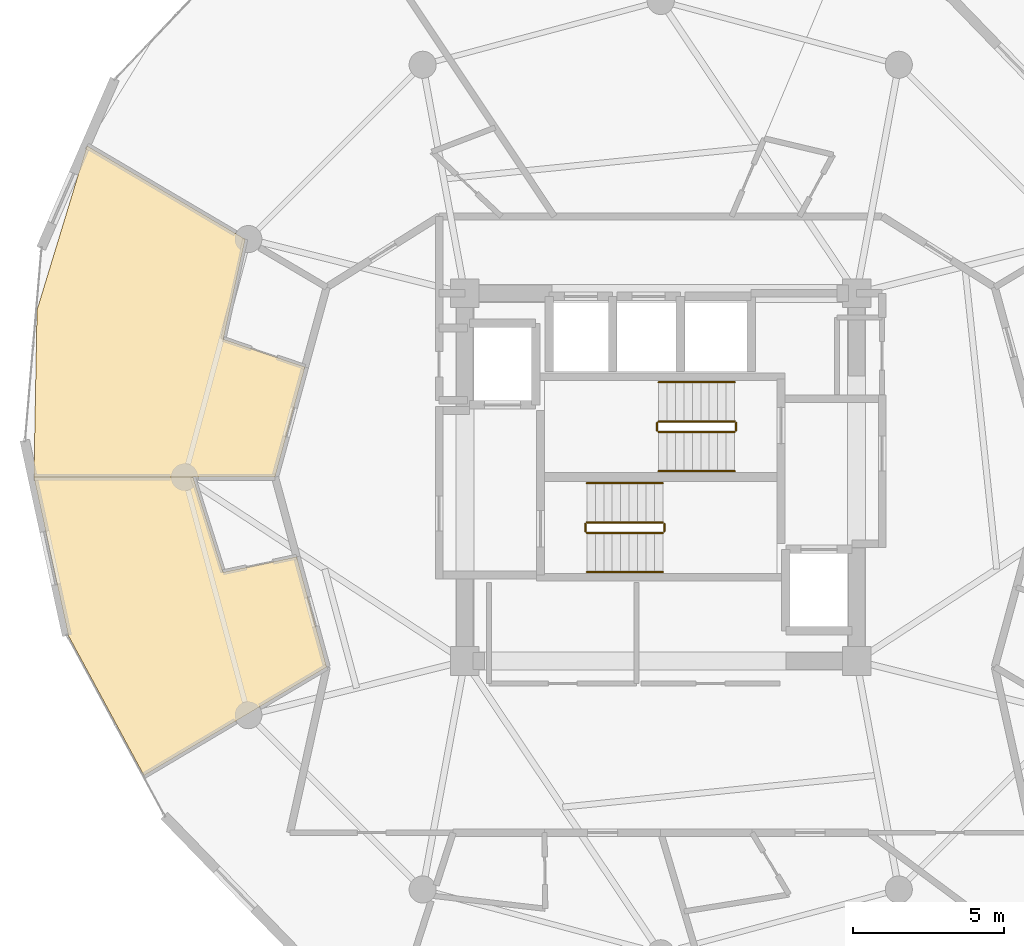
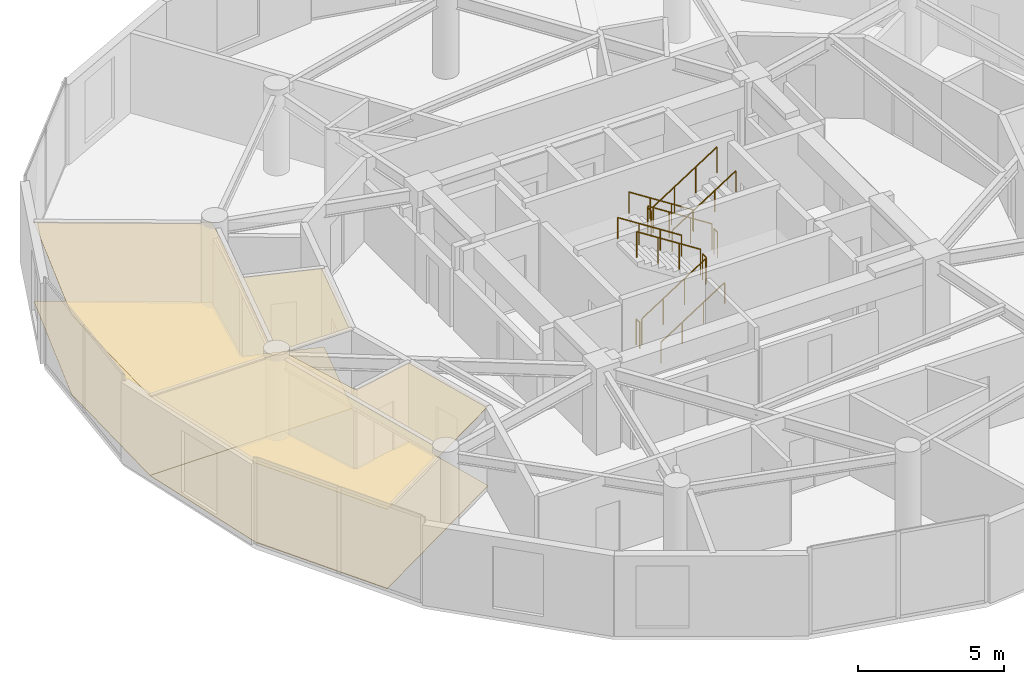
# One storey, part 22 of 23: 12 railings, 4 coverings.
"""IFC4 building model written with IfcOpenShell, lengths in metres."""

from ifc_helpers import new_model, si_unit, direction, frame, origin, origin_2d, place, context, subcontext, project, spatial, polyline, circle, outline, extrude, material, layer, layer_set, type_object, element, save


model = new_model("IFC4")

# Units and contexts
model_context = context("Model", 3, precision=1e-05, world=origin(), true_north=direction((0.0, 1.0)))
body_context = subcontext(model_context, "Body", "Model", "MODEL_VIEW")
ifc_project = project(units=[si_unit("LENGTHUNIT", "METRE"), si_unit("AREAUNIT", "SQUARE_METRE"), si_unit("VOLUMEUNIT", "CUBIC_METRE"), si_unit("PLANEANGLEUNIT", "RADIAN"), si_unit("MASSUNIT", "GRAM", prefix="KILO")], contexts=[model_context])

# Site, building, storey
site_placement = place(None, origin())
site = spatial("IfcSite", under=ifc_project, at=site_placement, CompositionType="ELEMENT")
building_placement = place(site_placement, origin())
building = spatial("IfcBuilding", under=site, at=building_placement, Name="Solvirekh Grand Hotel", CompositionType="ELEMENT")
storey_placement = place(building_placement, frame((0.0, 0.0, 173.199951171875)))
storey = spatial("IfcBuildingStorey", under=building, at=storey_placement, Name="L44", CompositionType="ELEMENT", Elevation=173.199951171875)

# Coverings
ifc_material_1 = material(Name="Acoustic Mineral Ceiling Tile")
ifc_layer_1 = layer(ifc_material_1, 0.02490234375)
ifc_layer_set_1 = layer_set([ifc_layer_1], Name="Acoustic Mineral Ceiling Tile")
covering_type_1 = type_object("IfcCoveringType", Name="Cov_Ceiling_Acoustic", PredefinedType="CEILING", material=ifc_layer_set_1)
covering_1_placement = place(storey_placement, frame((0.0, 0.0, 3.31005859375)))
element("IfcCovering", 1, at=covering_1_placement, inside=storey, type_object=covering_type_1, Name="L44 Deluxe Guestroom 4603 acoustic ceiling", PredefinedType="CEILING", context=body_context, shape_type="SweptSolid", body=[
    extrude(outline(polyline([(-14.514892578125, 4.5791015625), (-13.7890625, 7.89501953125), (-19.037109375, 10.990966796875), (-20.696044921875, 5.544921875), (-20.799072265625, 0.0), (-12.800048828125, 0.0), (-11.804931640625, 3.654052734375), (-14.514892578125, 4.5791015625)])), origin(), (0.0, 0.0, 1.0), 0.01806640625),
])
covering_2_placement = place(storey_placement, frame((0.0, 0.0, 3.31005859375)))
element("IfcCovering", 2, at=covering_2_placement, inside=storey, type_object=covering_type_1, Name="L44 Deluxe Guestroom 4604 acoustic ceiling", PredefinedType="CEILING", context=body_context, shape_type="SweptSolid", body=[
    extrude(outline(polyline([(-14.52294921875, -3.159912109375), (-15.52001953125, 0.0), (-20.799072265625, 0.0), (-19.652099609375, -5.26611328125), (-17.14794921875, -9.89990234375), (-11.0849609375, -6.300048828125), (-12.080078125, -2.64599609375), (-14.52294921875, -3.159912109375)])), origin(), (0.0, 0.0, 1.0), 0.01806640625),
])
ifc_material_2 = material(Name="Porcelain Stoneware Flooring", Category="masonry")
ifc_layer_2 = layer(ifc_material_2, 0.030029296875)
ifc_layer_set_2 = layer_set([ifc_layer_2], Name="Porcelain Stoneware Flooring")
covering_type_2 = type_object("IfcCoveringType", Name="Cov_Floor_Stone", PredefinedType="FLOORING", material=ifc_layer_set_2)
covering_3_placement = place(storey_placement, origin())
element("IfcCovering", 3, at=covering_3_placement, inside=storey, type_object=covering_type_2, Name="L44 Deluxe Guestroom 4603 polished granite flooring", PredefinedType="FLOORING", context=body_context, shape_type="SweptSolid", body=[
    extrude(outline(polyline([(-14.514892578125, 4.5791015625), (-13.7890625, 7.89501953125), (-19.037109375, 10.990966796875), (-20.696044921875, 5.544921875), (-20.799072265625, 0.0), (-12.800048828125, 0.0), (-11.804931640625, 3.654052734375), (-14.514892578125, 4.5791015625)])), origin(), (0.0, 0.0, 1.0), 0.02001953125),
])
covering_4_placement = place(storey_placement, origin())
element("IfcCovering", 4, at=covering_4_placement, inside=storey, type_object=covering_type_2, Name="L44 Deluxe Guestroom 4604 polished granite flooring", PredefinedType="FLOORING", context=body_context, shape_type="SweptSolid", body=[
    extrude(outline(polyline([(-14.52294921875, -3.159912109375), (-15.52001953125, 0.0), (-20.799072265625, 0.0), (-19.652099609375, -5.26611328125), (-17.14794921875, -9.89990234375), (-11.0849609375, -6.300048828125), (-12.080078125, -2.64599609375), (-14.52294921875, -3.159912109375)])), origin(), (0.0, 0.0, 1.0), 0.02001953125),
])

# Railings
ifc_material_3 = material(Name="Steel S355", Category="steel")
railing_type_1 = type_object("IfcRailingType", Name="Guard_Stair_1100", PredefinedType="GUARDRAIL", material=ifc_material_3)
railing_1_placement = place(storey_placement, frame((-2.449951171875, -1.85009765625, 0.179931640625)))
element("IfcRailing", 5, at=railing_1_placement, inside=storey, type_object=railing_type_1, Name="L44 ST-1 stair guard 1", PredefinedType="GUARDRAIL", context=body_context, shape_type="SweptSolid", body=[
    extrude(circle(Radius=0.02392578125, at=origin_2d()), frame((0.0, 0.0, 1.076171875), z_axis=(0.841162588446, 0.0, 0.540782303519), x_axis=(0.0, 1.0, 0.0)), (0.0, 0.0, 1.0), 2.995849609375),
    extrude(circle(Radius=0.02099609375, at=origin_2d()), origin(), (0.0, 0.0, 1.0), 1.052001953125),
    extrude(circle(Radius=0.02099609375, at=origin_2d()), frame((0.840087890625, 0.0, 0.5400390625)), (0.0, 0.0, 1.0), 1.052001953125),
    extrude(circle(Radius=0.02099609375, at=origin_2d()), frame((1.679931640625, 0.0, 1.080078125)), (0.0, 0.0, 1.0), 1.052001953125),
    extrude(circle(Radius=0.02099609375, at=origin_2d()), frame((2.52001953125, 0.0, 1.6201171875)), (0.0, 0.0, 1.0), 1.052001953125),
])
railing_2_placement = place(storey_placement, frame((0.1201171875, -1.800048828125, 1.800048828125)))
element("IfcRailing", 6, at=railing_2_placement, inside=storey, type_object=railing_type_1, Name="L44 ST-1 stair guard 2", PredefinedType="GUARDRAIL", context=body_context, shape_type="SweptSolid", body=[
    extrude(circle(Radius=0.02392578125, at=origin_2d()), frame((0.0, 0.0, 1.076171875), z_axis=(0.0, 1.0, 0.0), x_axis=(-1.0, 0.0, 0.0)), (0.0, 0.0, 1.0), 0.25),
    extrude(circle(Radius=0.02099609375, at=origin_2d()), origin(), (0.0, 0.0, 1.0), 1.052001953125),
    extrude(circle(Radius=0.02099609375, at=origin_2d()), frame((0.0, 0.25, 0.0)), (0.0, 0.0, 1.0), 1.052001953125),
])
railing_3_placement = place(storey_placement, frame((0.070068359375, -1.5, 1.97998046875)))
element("IfcRailing", 7, at=railing_3_placement, inside=storey, type_object=railing_type_1, Name="L44 ST-1 stair guard 3", PredefinedType="GUARDRAIL", context=body_context, shape_type="SweptSolid", body=[
    extrude(circle(Radius=0.02392578125, at=origin_2d()), frame((0.0, 0.0, 1.076171875), z_axis=(-0.841162588446, 0.0, 0.540782303519), x_axis=(0.0, -1.0, 0.0)), (0.0, 0.0, 1.0), 2.995849609375),
    extrude(circle(Radius=0.02099609375, at=origin_2d()), origin(), (0.0, 0.0, 1.0), 1.052001953125),
    extrude(circle(Radius=0.02099609375, at=origin_2d()), frame((-0.840087890625, 0.0, 0.5400390625)), (0.0, 0.0, 1.0), 1.052001953125),
    extrude(circle(Radius=0.02099609375, at=origin_2d()), frame((-1.679931640625, 0.0, 1.080078125)), (0.0, 0.0, 1.0), 1.052001953125),
    extrude(circle(Radius=0.02099609375, at=origin_2d()), frame((-2.52001953125, 0.0, 1.6201171875)), (0.0, 0.0, 1.0), 1.052001953125),
])
railing_4_placement = place(storey_placement, frame((-2.5, -1.800048828125, 0.0)))
element("IfcRailing", 8, at=railing_4_placement, inside=storey, type_object=railing_type_1, Name="L44 ST-1 stair guard 4", PredefinedType="GUARDRAIL", context=body_context, shape_type="SweptSolid", body=[
    extrude(circle(Radius=0.02392578125, at=origin_2d()), frame((0.0, 0.0, 1.076171875), z_axis=(0.0, 1.0, 0.0), x_axis=(-1.0, 0.0, 0.0)), (0.0, 0.0, 1.0), 0.25),
    extrude(circle(Radius=0.02099609375, at=origin_2d()), origin(), (0.0, 0.0, 1.0), 1.052001953125),
    extrude(circle(Radius=0.02099609375, at=origin_2d()), frame((0.0, 0.25, 0.0)), (0.0, 0.0, 1.0), 1.052001953125),
])
railing_5_placement = place(storey_placement, frame((2.449951171875, 1.85009765625, 0.179931640625)))
element("IfcRailing", 9, at=railing_5_placement, inside=storey, type_object=railing_type_1, Name="L44 ST-2 stair guard 1", PredefinedType="GUARDRAIL", context=body_context, shape_type="SweptSolid", body=[
    extrude(circle(Radius=0.02392578125, at=origin_2d()), frame((0.0, 0.0, 1.076171875), z_axis=(-0.841162588446, 0.0, 0.540782303519), x_axis=(0.0, -1.0, 0.0)), (0.0, 0.0, 1.0), 2.995849609375),
    extrude(circle(Radius=0.02099609375, at=origin_2d()), origin(), (0.0, 0.0, 1.0), 1.052001953125),
    extrude(circle(Radius=0.02099609375, at=origin_2d()), frame((-0.840087890625, 0.0, 0.5400390625)), (0.0, 0.0, 1.0), 1.052001953125),
    extrude(circle(Radius=0.02099609375, at=origin_2d()), frame((-1.679931640625, 0.0, 1.080078125)), (0.0, 0.0, 1.0), 1.052001953125),
    extrude(circle(Radius=0.02099609375, at=origin_2d()), frame((-2.52001953125, 0.0, 1.6201171875)), (0.0, 0.0, 1.0), 1.052001953125),
])
railing_6_placement = place(storey_placement, frame((-0.1201171875, 1.800048828125, 1.800048828125)))
element("IfcRailing", 10, at=railing_6_placement, inside=storey, type_object=railing_type_1, Name="L44 ST-2 stair guard 2", PredefinedType="GUARDRAIL", context=body_context, shape_type="SweptSolid", body=[
    extrude(circle(Radius=0.02392578125, at=origin_2d()), frame((0.0, 0.0, 1.076171875), z_axis=(0.0, -1.0, 0.0), x_axis=(1.0, 0.0, 0.0)), (0.0, 0.0, 1.0), 0.25),
    extrude(circle(Radius=0.02099609375, at=origin_2d()), origin(), (0.0, 0.0, 1.0), 1.052001953125),
    extrude(circle(Radius=0.02099609375, at=origin_2d()), frame((0.0, -0.25, 0.0)), (0.0, 0.0, 1.0), 1.052001953125),
])
railing_7_placement = place(storey_placement, frame((-0.070068359375, 1.5, 1.97998046875)))
element("IfcRailing", 11, at=railing_7_placement, inside=storey, type_object=railing_type_1, Name="L44 ST-2 stair guard 3", PredefinedType="GUARDRAIL", context=body_context, shape_type="SweptSolid", body=[
    extrude(circle(Radius=0.02392578125, at=origin_2d()), frame((0.0, 0.0, 1.076171875), z_axis=(0.841162588446, 0.0, 0.540782303519), x_axis=(0.0, 1.0, 0.0)), (0.0, 0.0, 1.0), 2.995849609375),
    extrude(circle(Radius=0.02099609375, at=origin_2d()), origin(), (0.0, 0.0, 1.0), 1.052001953125),
    extrude(circle(Radius=0.02099609375, at=origin_2d()), frame((0.840087890625, 0.0, 0.5400390625)), (0.0, 0.0, 1.0), 1.052001953125),
    extrude(circle(Radius=0.02099609375, at=origin_2d()), frame((1.679931640625, 0.0, 1.080078125)), (0.0, 0.0, 1.0), 1.052001953125),
    extrude(circle(Radius=0.02099609375, at=origin_2d()), frame((2.52001953125, 0.0, 1.6201171875)), (0.0, 0.0, 1.0), 1.052001953125),
])
railing_8_placement = place(storey_placement, frame((2.5, 1.800048828125, 0.0)))
element("IfcRailing", 12, at=railing_8_placement, inside=storey, type_object=railing_type_1, Name="L44 ST-2 stair guard 4", PredefinedType="GUARDRAIL", context=body_context, shape_type="SweptSolid", body=[
    extrude(circle(Radius=0.02392578125, at=origin_2d()), frame((0.0, 0.0, 1.076171875), z_axis=(0.0, -1.0, 0.0), x_axis=(1.0, 0.0, 0.0)), (0.0, 0.0, 1.0), 0.25),
    extrude(circle(Radius=0.02099609375, at=origin_2d()), origin(), (0.0, 0.0, 1.0), 1.052001953125),
    extrude(circle(Radius=0.02099609375, at=origin_2d()), frame((0.0, -0.25, 0.0)), (0.0, 0.0, 1.0), 1.052001953125),
])
ifc_material_4 = material(Name="Anodized Bronze Aluminium 6063-T6", Category="aluminium")
railing_type_2 = type_object("IfcRailingType", Name="Handrail_Wall_900", PredefinedType="HANDRAIL", material=ifc_material_4)
railing_9_placement = place(storey_placement, frame((-2.449951171875, -3.14990234375, 0.179931640625)))
element("IfcRailing", 13, at=railing_9_placement, inside=storey, type_object=railing_type_2, Name="L44 ST-1 stair handrail 1", PredefinedType="HANDRAIL", context=body_context, shape_type="SweptSolid", body=[
    extrude(circle(Radius=0.02392578125, at=origin_2d()), frame((0.0, 0.0, 0.8759765625), z_axis=(0.841162588446, 0.0, 0.540782303519), x_axis=(0.0, 1.0, 0.0)), (0.0, 0.0, 1.0), 2.995849609375),
    extrude(circle(Radius=0.02099609375, at=origin_2d()), origin(), (0.0, 0.0, 1.0), 0.851806640625),
    extrude(circle(Radius=0.02099609375, at=origin_2d()), frame((0.840087890625, 0.0, 0.5400390625)), (0.0, 0.0, 1.0), 0.851806640625),
    extrude(circle(Radius=0.02099609375, at=origin_2d()), frame((1.679931640625, 0.0, 1.080078125)), (0.0, 0.0, 1.0), 0.851806640625),
    extrude(circle(Radius=0.02099609375, at=origin_2d()), frame((2.52001953125, 0.0, 1.6201171875)), (0.0, 0.0, 1.0), 0.851806640625),
])
for number, where, name in (
    (14, (0.070068359375, -0.199951171875, 1.97998046875), "L44 ST-1 stair handrail 2"),
    (15, (2.449951171875, 3.14990234375, 0.179931640625), "L44 ST-2 stair handrail 1"),
):
    element("IfcRailing", number, at=place(storey_placement, frame(where)), inside=storey, type_object=railing_type_2, Name=name, PredefinedType="HANDRAIL", context=body_context, shape_type="SweptSolid", body=[
        extrude(circle(Radius=0.02392578125, at=origin_2d()), frame((0.0, 0.0, 0.8759765625), z_axis=(-0.841162588446, 0.0, 0.540782303519), x_axis=(0.0, -1.0, 0.0)), (0.0, 0.0, 1.0), 2.995849609375),
        extrude(circle(Radius=0.02099609375, at=origin_2d()), origin(), (0.0, 0.0, 1.0), 0.851806640625),
        extrude(circle(Radius=0.02099609375, at=origin_2d()), frame((-0.840087890625, 0.0, 0.5400390625)), (0.0, 0.0, 1.0), 0.851806640625),
        extrude(circle(Radius=0.02099609375, at=origin_2d()), frame((-1.679931640625, 0.0, 1.080078125)), (0.0, 0.0, 1.0), 0.851806640625),
        extrude(circle(Radius=0.02099609375, at=origin_2d()), frame((-2.52001953125, 0.0, 1.6201171875)), (0.0, 0.0, 1.0), 0.851806640625),
    ])
railing_10_placement = place(storey_placement, frame((-0.070068359375, 0.199951171875, 1.97998046875)))
element("IfcRailing", 16, at=railing_10_placement, inside=storey, type_object=railing_type_2, Name="L44 ST-2 stair handrail 2", PredefinedType="HANDRAIL", context=body_context, shape_type="SweptSolid", body=[
    extrude(circle(Radius=0.02392578125, at=origin_2d()), frame((0.0, 0.0, 0.8759765625), z_axis=(0.841162588446, 0.0, 0.540782303519), x_axis=(0.0, 1.0, 0.0)), (0.0, 0.0, 1.0), 2.995849609375),
    extrude(circle(Radius=0.02099609375, at=origin_2d()), origin(), (0.0, 0.0, 1.0), 0.851806640625),
    extrude(circle(Radius=0.02099609375, at=origin_2d()), frame((0.840087890625, 0.0, 0.5400390625)), (0.0, 0.0, 1.0), 0.851806640625),
    extrude(circle(Radius=0.02099609375, at=origin_2d()), frame((1.679931640625, 0.0, 1.080078125)), (0.0, 0.0, 1.0), 0.851806640625),
    extrude(circle(Radius=0.02099609375, at=origin_2d()), frame((2.52001953125, 0.0, 1.6201171875)), (0.0, 0.0, 1.0), 0.851806640625),
])

save(model, "model.ifc")
